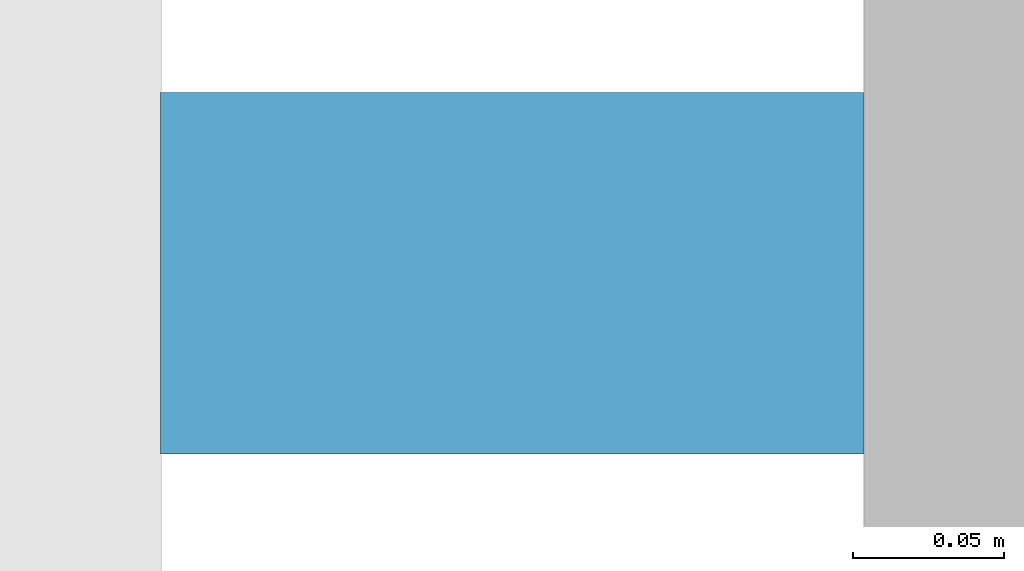
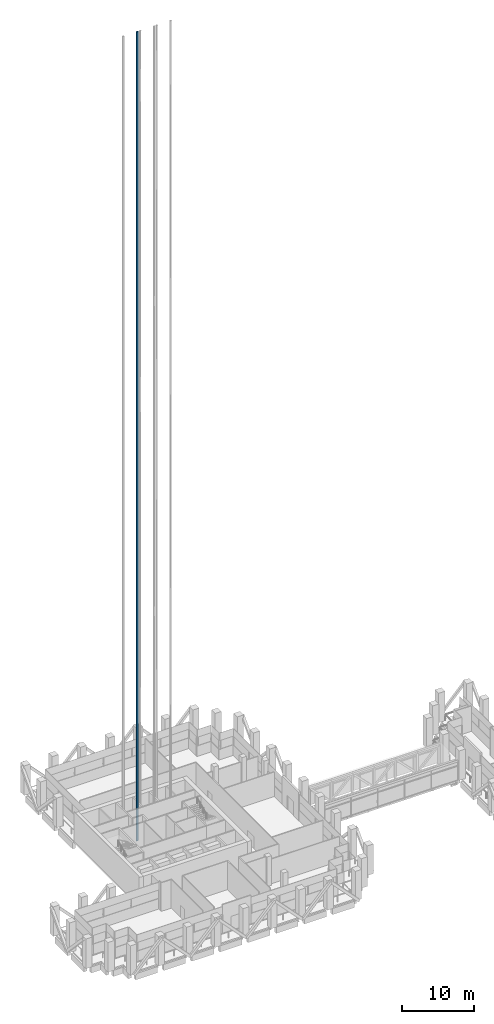
# One storey, part 39 of 48: 1 discrete accessory.
"""IFC4 building model written with IfcOpenShell, lengths in metres."""

import ifcopenshell
import ifcopenshell.guid

model = None  # the IFC model being written
_history = None  # IfcOwnerHistory: only IFC2X3 demands one
_inside = {}  # id of a spatial element -> (the spatial element, [elements in it])
_under = {}  # id of a project, library or spatial element -> (it, [spatial elements below it])
_declared = {}  # id of a project -> (the project, [libraries it declares])
_typed = {}  # id of a type object -> (the type object, [elements of that type])
_made_of = {}  # id of a material, layer set ... -> (it, [elements and type objects made of it])


def new_model(schema):
    """Start an empty IFC model of exactly this schema.

    Asked for "IFC4X3", IfcOpenShell would pick the latest addendum, in which some entities
    have other attributes; the version numbers below select the first issue.
    IFC2X3 requires an IfcOwnerHistory on every rooted entity: one is made here for all.
    """
    global model, _history
    if schema == "IFC4X3":
        model = ifcopenshell.file(schema_version=(4, 3, 0, 0))
    else:
        model = ifcopenshell.file(schema=schema)
    _inside.clear()
    _under.clear()
    _declared.clear()
    _typed.clear()
    _made_of.clear()
    _history = None
    if model.schema == "IFC2X3":
        org = make("IfcOrganization", Name="unknown")
        user = make(
            "IfcPersonAndOrganization",
            ThePerson=make("IfcPerson", FamilyName="unknown"),
            TheOrganization=org,
        )
        app = make(
            "IfcApplication",
            ApplicationDeveloper=org,
            Version="unknown",
            ApplicationFullName="unknown",
            ApplicationIdentifier="unknown",
        )
        _history = make(
            "IfcOwnerHistory",
            OwningUser=user,
            OwningApplication=app,
            ChangeAction="ADDED",
            CreationDate=0,
        )
    return model


def make(cls, **values):
    """One entity of the class cls with the attributes given. An attribute that is None is left unset."""
    return model.create_entity(
        cls, **{name: value for name, value in values.items() if value is not None}
    )


def rooted(cls, **values):
    """An entity with a GlobalId (a new one), such as an element, a storey or a relation."""
    return make(cls, GlobalId=ifcopenshell.guid.new(), OwnerHistory=_history, **values)


def si_unit(unit_type, name, prefix=None):
    """IfcSIUnit, for example si_unit("LENGTHUNIT", "METRE", prefix="MILLI")."""
    return make("IfcSIUnit", UnitType=unit_type, Prefix=prefix, Name=name)


def assignment(units):
    """IfcUnitAssignment: the units of a project."""
    return None if units is None else make("IfcUnitAssignment", Units=units)


def point(xyz):
    """IfcCartesianPoint."""
    return None if xyz is None else make("IfcCartesianPoint", Coordinates=xyz)


def direction(xyz):
    """IfcDirection."""
    return None if xyz is None else make("IfcDirection", DirectionRatios=xyz)


def frame(location, z_axis=None, x_axis=None):
    """IfcAxis2Placement3D, a coordinate frame: its origin and axes. An axis left out is left unset."""
    return make(
        "IfcAxis2Placement3D",
        Location=point(location),
        Axis=direction(z_axis),
        RefDirection=direction(x_axis),
    )


def frame_2d(location, x_axis=None):
    """IfcAxis2Placement2D, a coordinate frame in the plane: its origin and x axis."""
    return make(
        "IfcAxis2Placement2D", Location=point(location), RefDirection=direction(x_axis)
    )


def origin():
    """The frame at (0, 0, 0) with its axes left unset."""
    return frame((0.0, 0.0, 0.0))


def origin_2d():
    """The frame at (0, 0) in the plane with its x axis left unset."""
    return frame_2d((0.0, 0.0))


def place(relative_to, where):
    """IfcLocalPlacement: puts the frame where relative to a parent placement (None: the world)."""
    return make(
        "IfcLocalPlacement", PlacementRelTo=relative_to, RelativePlacement=where
    )


def context(
    kind, dimensions, precision=None, world=None, true_north=None, identifier=None
):
    """IfcGeometricRepresentationContext, for example the 3D "Model" context."""
    return make(
        "IfcGeometricRepresentationContext",
        ContextIdentifier=identifier,
        ContextType=kind,
        CoordinateSpaceDimension=dimensions,
        Precision=precision,
        WorldCoordinateSystem=world,
        TrueNorth=true_north,
    )


def subcontext(parent, identifier, kind, view, scale=None):
    """IfcGeometricRepresentationSubContext, for example "Body" below "Model"."""
    return make(
        "IfcGeometricRepresentationSubContext",
        ContextIdentifier=identifier,
        ContextType=kind,
        ParentContext=parent,
        TargetScale=scale,
        TargetView=view,
    )


def project(units=None, contexts=None):
    """IfcProject with its units and contexts."""
    return rooted(
        "IfcProject",
        Name="project",
        RepresentationContexts=contexts,
        UnitsInContext=assignment(units),
    )


def spatial(cls, under=None, at=None, **own):
    """A site, building, storey or space (cls), placed at a placement, below another one or the project."""
    s = rooted(cls, ObjectPlacement=at, **own)
    if under is not None:
        _under.setdefault(under.id(), (under, []))[1].append(s)
    return s


def profile(cls, at=None, kind="AREA", **sizes):
    """A parametric profile (cls). Its sizes go by their IFC names, for example OverallWidth=200.0."""
    return make(cls, ProfileType=kind, Position=at, **sizes)


def rectangle(**sizes):
    """IfcRectangleProfileDef."""
    return profile("IfcRectangleProfileDef", **sizes)


def extrude(swept, where, along, depth):
    """IfcExtrudedAreaSolid: the profile swept, set in the frame where, extruded along a direction by depth."""
    return make(
        "IfcExtrudedAreaSolid",
        SweptArea=swept,
        Position=where,
        ExtrudedDirection=direction(along),
        Depth=depth,
    )


def shape(context_of_items, identifier, shape_type, items):
    """IfcShapeRepresentation: the items that make up one representation, for example the "Body"."""
    return make(
        "IfcShapeRepresentation",
        ContextOfItems=context_of_items,
        RepresentationIdentifier=identifier,
        RepresentationType=shape_type,
        Items=items,
    )


def made_of(thing, what):
    """Note that an element or type object is made of a material, layer set ...; save() writes the relation."""
    if what is not None:
        _made_of.setdefault(what.id(), (what, []))[1].append(thing)
    return thing


def element(
    cls,
    number,
    at=None,
    inside=None,
    cuts=None,
    type_object=None,
    material=None,
    context=None,
    identifier="Body",
    shape_type=None,
    held_by="IfcProductDefinitionShape",
    body=None,
    shapes=None,
    **own,
):
    """One element of the class cls, such as IfcWall. Its Tag is "e" and its number.

    at: its placement. inside: the storey or other place that contains it. cuts: it is an
    opening in that element (IfcRelVoidsElement). A single representation is given by context,
    identifier, shape_type and body (its items); several are given by shapes. held_by: the class
    of the entity that holds the representations. save() writes the other relations.
    """
    e = rooted(cls, Tag="e%d" % number, ObjectPlacement=at, **own)
    if body is not None:
        shapes = [shape(context, identifier, shape_type, body)]
    if shapes is not None:
        e.Representation = make(held_by, Representations=shapes)
    if inside is not None:
        _inside.setdefault(inside.id(), (inside, []))[1].append(e)
    if cuts is not None:
        rooted(
            "IfcRelVoidsElement", RelatingBuildingElement=cuts, RelatedOpeningElement=e
        )
    if type_object is not None:
        _typed.setdefault(type_object.id(), (type_object, []))[1].append(e)
    return made_of(e, material)


def aggregate(whole, parts):
    """IfcRelAggregates: a whole, such as a stair, and the parts it consists of."""
    return rooted("IfcRelAggregates", RelatingObject=whole, RelatedObjects=parts)


def save(model, path):
    """Write the relations noted so far, then the file.

    IfcRelAggregates (storeys below a building ...), IfcRelContainedInSpatialStructure (elements
    in a storey), IfcRelDefinesByType, IfcRelAssociatesMaterial and IfcRelDeclares: one each for
    every whole, place, type object, material and project.
    """
    for whole, parts in _under.values():
        aggregate(whole, parts)
    for where, things in _inside.values():
        rooted(
            "IfcRelContainedInSpatialStructure",
            RelatedElements=things,
            RelatingStructure=where,
        )
    for kind, things in _typed.values():
        rooted("IfcRelDefinesByType", RelatedObjects=things, RelatingType=kind)
    for what, things in _made_of.values():
        rooted("IfcRelAssociatesMaterial", RelatedObjects=things, RelatingMaterial=what)
    for by, libraries in _declared.values():
        rooted("IfcRelDeclares", RelatingContext=by, RelatedDefinitions=libraries)
    model.write(path)


model = new_model("IFC4")

# Units and contexts
model_context = context("Model", 3, precision=1e-05, world=origin(), true_north=direction((0.0, 1.0)))
body_context = subcontext(model_context, "Body", "Model", "MODEL_VIEW")
ifc_project = project(units=[si_unit("LENGTHUNIT", "METRE"), si_unit("AREAUNIT", "SQUARE_METRE"), si_unit("VOLUMEUNIT", "CUBIC_METRE"), si_unit("PLANEANGLEUNIT", "RADIAN"), si_unit("MASSUNIT", "GRAM", prefix="KILO")], contexts=[model_context])

# Site, building, storey
site_placement = place(None, origin())
site = spatial("IfcSite", under=ifc_project, at=site_placement, CompositionType="ELEMENT")
building_placement = place(site_placement, origin())
building = spatial("IfcBuilding", under=site, at=building_placement, Name="Altepetl Exchange Towers", CompositionType="ELEMENT")
storey_placement = place(building_placement, frame((0.0, 0.0, 138.800048828125)))
storey = spatial("IfcBuildingStorey", under=building, at=storey_placement, Name="L34 Refuge and sky lobby", CompositionType="ELEMENT", Elevation=138.800048828125)

# Discrete accessory
discrete_accessory_placement = place(storey_placement, frame((49.283203125, 56.199951171875, -1.60009765625)))
element("IfcDiscreteAccessory", 1, at=discrete_accessory_placement, inside=storey, Name="Guide rail P5", ObjectType="GUIDE RAIL", PredefinedType="USERDEFINED", context=body_context, shape_type="SweptSolid", body=[
    extrude(rectangle(XDim=0.2333984375, YDim=0.1201171875, at=origin_2d()), origin(), (0.0, 0.0, 1.0), 136.85009765625),
])

save(model, "model.ifc")
